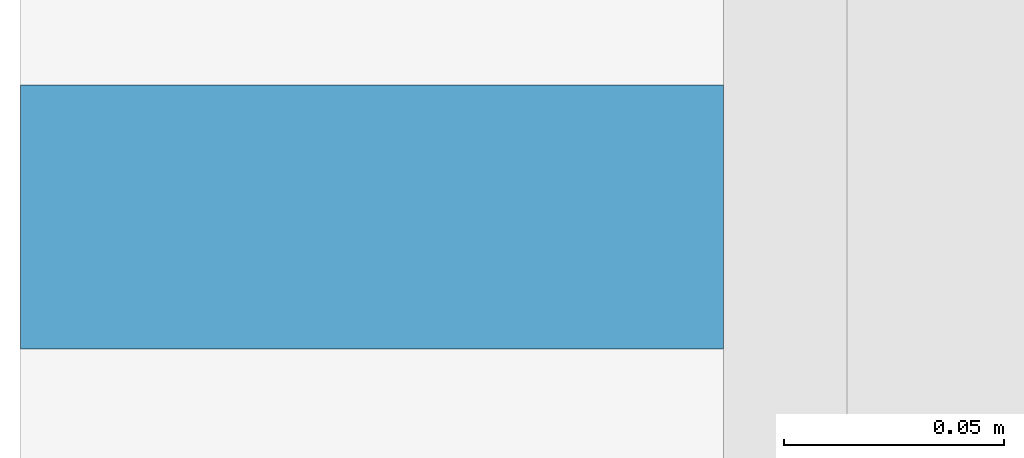
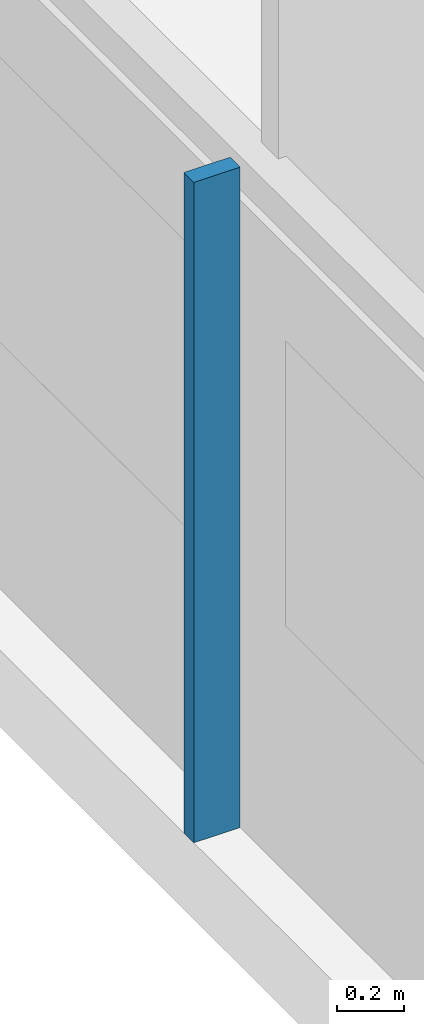
# One storey, part 4 of 25: 1 member, 1 element without a shape of its own.
"""IFC4 building model written with IfcOpenShell, lengths in metres."""

from ifc_helpers import new_model, si_unit, direction, frame, origin, origin_2d, place, context, subcontext, project, spatial, rectangle, extrude, material, material_profile, profile_set, type_object, element, aggregate, save


model = new_model("IFC4")

# Units and contexts
model_context = context("Model", 3, precision=1e-05, world=origin(), true_north=direction((0.0, 1.0)))
body_context = subcontext(model_context, "Body", "Model", "MODEL_VIEW")
ifc_project = project(units=[si_unit("LENGTHUNIT", "METRE"), si_unit("AREAUNIT", "SQUARE_METRE"), si_unit("VOLUMEUNIT", "CUBIC_METRE"), si_unit("PLANEANGLEUNIT", "RADIAN"), si_unit("MASSUNIT", "GRAM", prefix="KILO")], contexts=[model_context])

# Site, building, storey
site_placement = place(None, origin())
site = spatial("IfcSite", under=ifc_project, at=site_placement, CompositionType="ELEMENT")
building_placement = place(site_placement, origin())
building = spatial("IfcBuilding", under=site, at=building_placement, Name="Saffron Gate Tower", CompositionType="ELEMENT")
storey_placement = place(building_placement, frame((0.0, 0.0, 80.39990234375)))
storey = spatial("IfcBuildingStorey", under=building, at=storey_placement, Name="L19", CompositionType="ELEMENT", Elevation=80.39990234375)

# Curtain wall, member
ifc_material = material(Name="Aluminium, bronze anodised", Category="aluminium")
curtain_wall_type = type_object("IfcCurtainWallType", Name="CWS2 curtain wall side facades", PredefinedType="NOTDEFINED", material=ifc_material)
curtain_wall_placement = place(storey_placement, origin())
curtain_wall = element("IfcCurtainWall", 1, at=curtain_wall_placement, inside=storey, type_object=curtain_wall_type, Name="CWS2 run 10", PredefinedType="NOTDEFINED")
ifc_material_profile = material_profile(ifc_material, rectangle(XDim=0.159912109375, YDim=0.06005859375, at=origin_2d()))
ifc_profile_set = profile_set([ifc_material_profile], Name="Aluminium, bronze anodised")
member_type = type_object("IfcMemberType", Name="CWS2 mullion 60x160", PredefinedType="MULLION", material=ifc_profile_set)
member_placement = place(storey_placement, frame((48.080078125, 48.60009765625, 0.0), z_axis=(0.0, 0.0, 1.0), x_axis=(1.0, 0.0, 0.0)))
member = element("IfcMember", 2, at=member_placement, type_object=member_type, Name="CWS2 mullion 4", PredefinedType="MULLION", context=body_context, shape_type="SweptSolid", body=[
    extrude(rectangle(XDim=0.159912109375, YDim=0.06005859375, at=origin_2d()), origin(), (0.0, 0.0, 1.0), 2.41015625),
])
aggregate(curtain_wall, [member])

save(model, "model.ifc")
